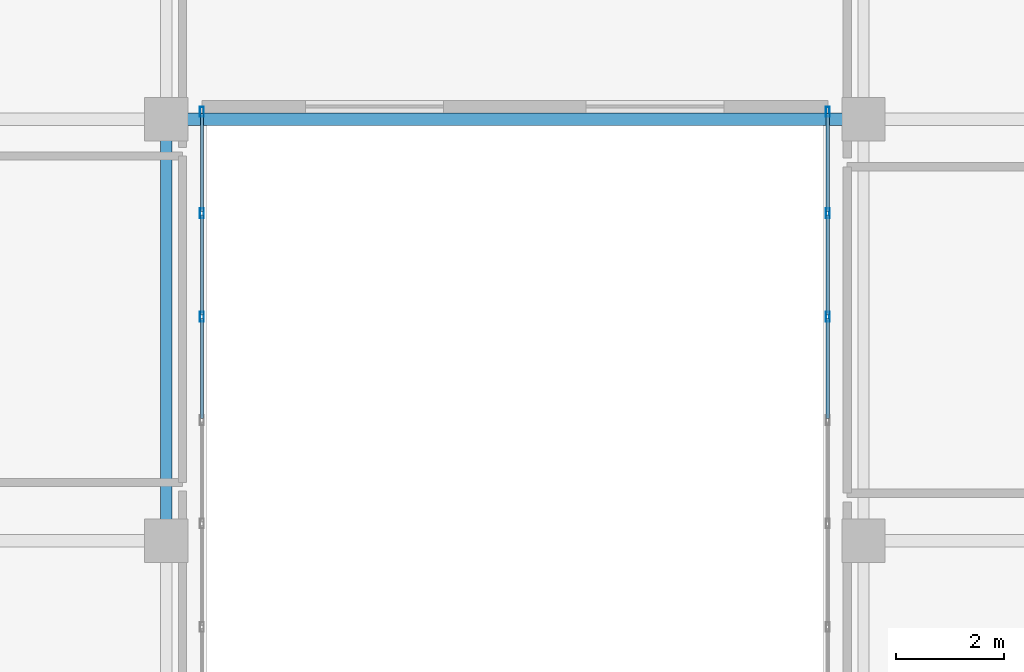
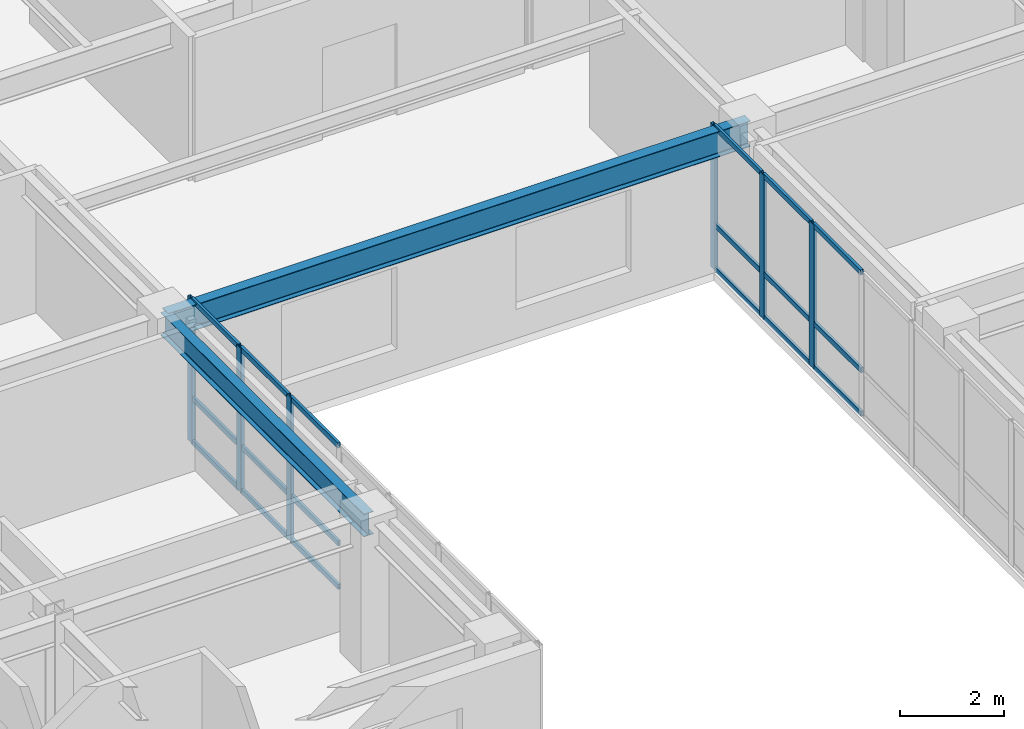
# One storey, part 8 of 24: 24 members, 2 beams, 2 elements without a shape of their own.
"""IFC4 building model written with IfcOpenShell, lengths in metres."""

from ifc_helpers import new_model, si_unit, direction, frame, origin, origin_2d, place, context, subcontext, project, spatial, hollow_rectangle, i_section, extrude, source, transform, mapped, material, layer, layer_set, material_profile, profile_set, type_object, type_shapes, element, aggregate, save


model = new_model("IFC4")

# Units and contexts
model_context = context("Model", 3, precision=1e-05, world=origin(), true_north=direction((0.0, 1.0)))
body_context = subcontext(model_context, "Body", "Model", "MODEL_VIEW")
ifc_project = project(units=[si_unit("LENGTHUNIT", "METRE"), si_unit("AREAUNIT", "SQUARE_METRE"), si_unit("VOLUMEUNIT", "CUBIC_METRE"), si_unit("PLANEANGLEUNIT", "RADIAN"), si_unit("MASSUNIT", "GRAM", prefix="KILO")], contexts=[model_context])

# Site, building, storey
site_placement = place(None, origin())
site = spatial("IfcSite", under=ifc_project, at=site_placement, CompositionType="ELEMENT")
building_placement = place(site_placement, origin())
building = spatial("IfcBuilding", under=site, at=building_placement, Name="Tolvann Quenvar Hotel", CompositionType="ELEMENT")
storey_placement = place(building_placement, frame((0.0, 0.0, 194.64990234375)))
storey = spatial("IfcBuildingStorey", under=building, at=storey_placement, Name="L51", CompositionType="ELEMENT", Elevation=194.64990234375)

# Beams
ifc_material_1 = material(Name="Steel Grade 350", Category="steel")
ifc_material_profile_1 = material_profile(ifc_material_1, i_section(OverallWidth=0.208984375, OverallDepth=0.532958984375, WebThickness=0.01025390625, FlangeThickness=0.015625, FilletRadius=0.013916015625, at=origin_2d()), Name="530UB92")
ifc_profile_set_1 = profile_set([ifc_material_profile_1], Name="Steel Grade 350")
beam_type_1 = type_object("IfcBeamType", Name="BM_GIRD_530UB92", PredefinedType="BEAM", material=ifc_profile_set_1)
shared_shape_1 = source(origin(), body_context, "Body", "SweptSolid", [
    extrude(i_section(OverallWidth=0.208984375, OverallDepth=0.532958984375, WebThickness=0.01025390625, FlangeThickness=0.015625, FilletRadius=0.013916015625, at=origin_2d()), origin(), (0.0, 0.0, 1.0), 7.800048828125),
])
type_shapes(beam_type_1, [shared_shape_1])
beam_1_placement = place(storey_placement, frame((22.050048828125, 8.199951171875, 3.103515625), z_axis=(0.0, 1.0, 0.0), x_axis=(-1.0, 0.0, 0.0)))
element("IfcBeam", 1, at=beam_1_placement, inside=storey, type_object=beam_type_1, Name="BM-L51-NS-E3-E4", PredefinedType="BEAM", context=body_context, shape_type="MappedRepresentation", body=[
    mapped(shared_shape_1, transform((0.0, 0.0, 0.0), x_axis=(1.0, 0.0, 0.0), y_axis=(0.0, 1.0, 0.0), z_axis=(0.0, 0.0, 1.0), scale=1.0)),
])
ifc_material_profile_2 = material_profile(ifc_material_1, i_section(OverallWidth=0.22802734375, OverallDepth=0.60205078125, WebThickness=0.010498046875, FlangeThickness=0.014892578125, FilletRadius=0.013916015625, at=origin_2d()), Name="610UB101")
ifc_profile_set_2 = profile_set([ifc_material_profile_2], Name="Steel Grade 350")
beam_type_2 = type_object("IfcBeamType", Name="BM_GIRD_610UB101", PredefinedType="BEAM", material=ifc_profile_set_2)
shared_shape_2 = source(origin(), body_context, "Body", "SweptSolid", [
    extrude(i_section(OverallWidth=0.22802734375, OverallDepth=0.60205078125, WebThickness=0.010498046875, FlangeThickness=0.014892578125, FilletRadius=0.013916015625, at=origin_2d()), origin(), (0.0, 0.0, 1.0), 12.89990234375),
])
type_shapes(beam_type_2, [shared_shape_2])
beam_2_placement = place(storey_placement, frame((22.050048828125, 16.0, 3.069091796875), z_axis=(1.0, 0.0, 0.0), x_axis=(0.0, 1.0, 0.0)))
element("IfcBeam", 2, at=beam_2_placement, inside=storey, type_object=beam_type_2, Name="BM-L51-EW-4-E4-F4", PredefinedType="BEAM", context=body_context, shape_type="MappedRepresentation", body=[
    mapped(shared_shape_2, transform((0.0, 0.0, 0.0), x_axis=(1.0, 0.0, 0.0), y_axis=(0.0, 1.0, 0.0), z_axis=(0.0, 0.0, 1.0), scale=1.0)),
])

# Curtain wall, members
ifc_material_2 = material(Name="Thermally broken anodised architectural aluminium 6063-T6 and laminated low-E glass", Category="aluminium")
ifc_layer = layer(ifc_material_2, 0.179931640625)
ifc_layer_set = layer_set([ifc_layer], Name="Thermally broken anodised architectural aluminium 6063-T6 and laminated low-E glass")
curtain_wall_type = type_object("IfcCurtainWallType", Name="CW_SYS_SLOT_03", PredefinedType="USERDEFINED", material=ifc_layer_set)
curtain_wall_1_placement = place(storey_placement, origin())
curtain_wall_1 = element("IfcCurtainWall", 3, at=curtain_wall_1_placement, inside=storey, type_object=curtain_wall_type, Name="Curtain Wall CW-SLOT-03 (CWR-L51-E05)", ObjectType="UNITISED CURTAIN WALL", PredefinedType="USERDEFINED")
ifc_material_3 = material(Name="Anodised architectural aluminium 6063-T6 framing", Category="aluminium")
ifc_material_profile_3 = material_profile(ifc_material_3, hollow_rectangle(XDim=0.070068359375, YDim=0.179931640625, WallThickness=0.00390625, at=origin_2d()), Name="180x70x4RHS")
ifc_profile_set_3 = profile_set([ifc_material_profile_3], Name="Anodised architectural aluminium 6063-T6 framing")
member_type_1 = type_object("IfcMemberType", Name="CW_MULL_180x70", PredefinedType="MULLION", material=ifc_profile_set_3)
shared_shape_3 = source(origin(), body_context, "Body", "SweptSolid", [
    extrude(hollow_rectangle(XDim=0.070068359375, YDim=0.179931640625, WallThickness=0.00390625, at=origin_2d()), origin(), (0.0, 0.0, 1.0), 3.3701171875),
])
type_shapes(member_type_1, [shared_shape_3])
member_1_placement = place(storey_placement, frame((22.7099609375, 12.346435546875, 0.0), z_axis=(0.0, 0.0, 1.0), x_axis=(-1.0, 0.0, 0.0)))
member_1 = element("IfcMember", 4, at=member_1_placement, type_object=member_type_1, Name="CW-SLOT-03 mullion 6", PredefinedType="MULLION", context=body_context, shape_type="MappedRepresentation", body=[
    mapped(shared_shape_3, transform((0.0, 0.0, 0.0), x_axis=(1.0, 0.0, 0.0), y_axis=(0.0, 1.0, 0.0), z_axis=(0.0, 0.0, 1.0), scale=1.0)),
])
member_2_placement = place(storey_placement, frame((22.7099609375, 14.2607421875, 0.0), z_axis=(0.0, 0.0, 1.0), x_axis=(-1.0, 0.0, 0.0)))
member_2 = element("IfcMember", 5, at=member_2_placement, type_object=member_type_1, Name="CW-SLOT-03 mullion 7", PredefinedType="MULLION", context=body_context, shape_type="MappedRepresentation", body=[
    mapped(shared_shape_3, transform((0.0, 0.0, 0.0), x_axis=(1.0, 0.0, 0.0), y_axis=(0.0, 1.0, 0.0), z_axis=(0.0, 0.0, 1.0), scale=1.0)),
])
member_3_placement = place(storey_placement, frame((22.7099609375, 16.139892578125, 0.0), z_axis=(0.0, 0.0, 1.0), x_axis=(-1.0, 0.0, 0.0)))
member_3 = element("IfcMember", 6, at=member_3_placement, type_object=member_type_1, Name="CW-SLOT-03 mullion 8", PredefinedType="MULLION", context=body_context, shape_type="MappedRepresentation", body=[
    mapped(shared_shape_3, transform((0.0, 0.0, 0.0), x_axis=(1.0, 0.0, 0.0), y_axis=(0.0, 1.0, 0.0), z_axis=(0.0, 0.0, 1.0), scale=1.0)),
])

curtain_wall_2_placement = place(storey_placement, origin())
curtain_wall_2 = element("IfcCurtainWall", 7, at=curtain_wall_2_placement, inside=storey, type_object=curtain_wall_type, Name="Curtain Wall CW-SLOT-03 (CWR-L51-E07)", ObjectType="UNITISED CURTAIN WALL", PredefinedType="USERDEFINED")
member_4_placement = place(storey_placement, frame((34.2900390625, 16.139892578125, 0.0), z_axis=(0.0, 0.0, 1.0), x_axis=(1.0, 0.0, 0.0)))
member_4 = element("IfcMember", 8, at=member_4_placement, type_object=member_type_1, Name="CW-SLOT-03 mullion 1", PredefinedType="MULLION", context=body_context, shape_type="MappedRepresentation", body=[
    mapped(shared_shape_3, transform((0.0, 0.0, 0.0), x_axis=(1.0, 0.0, 0.0), y_axis=(0.0, 1.0, 0.0), z_axis=(0.0, 0.0, 1.0), scale=1.0)),
])
member_5_placement = place(storey_placement, frame((34.2900390625, 14.2607421875, 0.0), z_axis=(0.0, 0.0, 1.0), x_axis=(1.0, 0.0, 0.0)))
member_5 = element("IfcMember", 9, at=member_5_placement, type_object=member_type_1, Name="CW-SLOT-03 mullion 2", PredefinedType="MULLION", context=body_context, shape_type="MappedRepresentation", body=[
    mapped(shared_shape_3, transform((0.0, 0.0, 0.0), x_axis=(1.0, 0.0, 0.0), y_axis=(0.0, 1.0, 0.0), z_axis=(0.0, 0.0, 1.0), scale=1.0)),
])
member_6_placement = place(storey_placement, frame((34.2900390625, 12.346435546875, 0.0), z_axis=(0.0, 0.0, 1.0), x_axis=(1.0, 0.0, 0.0)))
member_6 = element("IfcMember", 10, at=member_6_placement, type_object=member_type_1, Name="CW-SLOT-03 mullion 3", PredefinedType="MULLION", context=body_context, shape_type="MappedRepresentation", body=[
    mapped(shared_shape_3, transform((0.0, 0.0, 0.0), x_axis=(1.0, 0.0, 0.0), y_axis=(0.0, 1.0, 0.0), z_axis=(0.0, 0.0, 1.0), scale=1.0)),
])

# Member
ifc_material_profile_4 = material_profile(ifc_material_3, hollow_rectangle(XDim=0.06005859375, YDim=0.1201171875, WallThickness=0.00341796875, at=origin_2d()), Name="120x60x3.5RHS")
ifc_profile_set_4 = profile_set([ifc_material_profile_4], Name="Anodised architectural aluminium 6063-T6 framing")
member_type_2 = type_object("IfcMemberType", Name="CW_TRAN_120x60", PredefinedType="USERDEFINED", material=ifc_profile_set_4)
shared_shape_4 = source(origin(), body_context, "Body", "SweptSolid", [
    extrude(hollow_rectangle(XDim=0.06005859375, YDim=0.1201171875, WallThickness=0.00341796875, at=origin_2d()), origin(), (0.0, 0.0, 1.0), 1.809326171875),
])
member_7_placement = place(storey_placement, frame((22.7099609375, 14.295654296875, 0.030029296875), z_axis=(0.0, 1.0, 0.0), x_axis=(-1.0, 0.0, 0.0)))
member_7 = element("IfcMember", 11, at=member_7_placement, type_object=member_type_2, Name="CW-SLOT-03 transom 7.1", ObjectType="TRANSOM", PredefinedType="USERDEFINED", context=body_context, shape_type="MappedRepresentation", body=[
    mapped(shared_shape_4, transform((0.0, 0.0, 0.0), x_axis=(1.0, 0.0, 0.0), y_axis=(0.0, 1.0, 0.0), z_axis=(0.0, 0.0, 1.0), scale=1.0)),
])

member_8_placement = place(storey_placement, frame((22.7099609375, 14.295654296875, 1.050048828125), z_axis=(0.0, 1.0, 0.0), x_axis=(-1.0, 0.0, 0.0)))
member_8 = element("IfcMember", 12, at=member_8_placement, type_object=member_type_2, Name="CW-SLOT-03 transom 7.2", ObjectType="TRANSOM", PredefinedType="USERDEFINED", context=body_context, shape_type="MappedRepresentation", body=[
    mapped(shared_shape_4, transform((0.0, 0.0, 0.0), x_axis=(1.0, 0.0, 0.0), y_axis=(0.0, 1.0, 0.0), z_axis=(0.0, 0.0, 1.0), scale=1.0)),
])

member_9_placement = place(storey_placement, frame((22.7099609375, 14.295654296875, 3.340087890625), z_axis=(0.0, 1.0, 0.0), x_axis=(-1.0, 0.0, 0.0)))
member_9 = element("IfcMember", 13, at=member_9_placement, type_object=member_type_2, Name="CW-SLOT-03 transom 7.3", ObjectType="TRANSOM", PredefinedType="USERDEFINED", context=body_context, shape_type="MappedRepresentation", body=[
    mapped(shared_shape_4, transform((0.0, 0.0, 0.0), x_axis=(1.0, 0.0, 0.0), y_axis=(0.0, 1.0, 0.0), z_axis=(0.0, 0.0, 1.0), scale=1.0)),
])

member_10_placement = place(storey_placement, frame((34.2900390625, 16.10498046875, 0.030029296875), z_axis=(0.0, -1.0, 0.0), x_axis=(1.0, 0.0, 0.0)))
member_10 = element("IfcMember", 14, at=member_10_placement, type_object=member_type_2, Name="CW-SLOT-03 transom 1.1", ObjectType="TRANSOM", PredefinedType="USERDEFINED", context=body_context, shape_type="MappedRepresentation", body=[
    mapped(shared_shape_4, transform((0.0, 0.0, 0.0), x_axis=(1.0, 0.0, 0.0), y_axis=(0.0, 1.0, 0.0), z_axis=(0.0, 0.0, 1.0), scale=1.0)),
])

member_11_placement = place(storey_placement, frame((34.2900390625, 16.10498046875, 1.050048828125), z_axis=(0.0, -1.0, 0.0), x_axis=(1.0, 0.0, 0.0)))
member_11 = element("IfcMember", 15, at=member_11_placement, type_object=member_type_2, Name="CW-SLOT-03 transom 1.2", ObjectType="TRANSOM", PredefinedType="USERDEFINED", context=body_context, shape_type="MappedRepresentation", body=[
    mapped(shared_shape_4, transform((0.0, 0.0, 0.0), x_axis=(1.0, 0.0, 0.0), y_axis=(0.0, 1.0, 0.0), z_axis=(0.0, 0.0, 1.0), scale=1.0)),
])

member_12_placement = place(storey_placement, frame((34.2900390625, 16.10498046875, 3.340087890625), z_axis=(0.0, -1.0, 0.0), x_axis=(1.0, 0.0, 0.0)))
member_12 = element("IfcMember", 16, at=member_12_placement, type_object=member_type_2, Name="CW-SLOT-03 transom 1.3", ObjectType="TRANSOM", PredefinedType="USERDEFINED", context=body_context, shape_type="MappedRepresentation", body=[
    mapped(shared_shape_4, transform((0.0, 0.0, 0.0), x_axis=(1.0, 0.0, 0.0), y_axis=(0.0, 1.0, 0.0), z_axis=(0.0, 0.0, 1.0), scale=1.0)),
])

shared_shape_5 = source(origin(), body_context, "Body", "SweptSolid", [
    extrude(hollow_rectangle(XDim=0.06005859375, YDim=0.1201171875, WallThickness=0.00341796875, at=origin_2d()), origin(), (0.0, 0.0, 1.0), 1.844482421875),
])
type_shapes(member_type_2, [shared_shape_4, shared_shape_5])
member_13_placement = place(storey_placement, frame((22.7099609375, 10.467041015625, 0.030029296875), z_axis=(0.0, 1.0, 0.0), x_axis=(-1.0, 0.0, 0.0)))
member_13 = element("IfcMember", 17, at=member_13_placement, type_object=member_type_2, Name="CW-SLOT-03 transom 5.1", ObjectType="TRANSOM", PredefinedType="USERDEFINED", context=body_context, shape_type="MappedRepresentation", body=[
    mapped(shared_shape_5, transform((0.0, 0.0, 0.0), x_axis=(1.0, 0.0, 0.0), y_axis=(0.0, 1.0, 0.0), z_axis=(0.0, 0.0, 1.0), scale=1.0)),
])

member_14_placement = place(storey_placement, frame((22.7099609375, 10.467041015625, 1.050048828125), z_axis=(0.0, 1.0, 0.0), x_axis=(-1.0, 0.0, 0.0)))
member_14 = element("IfcMember", 18, at=member_14_placement, type_object=member_type_2, Name="CW-SLOT-03 transom 5.2", ObjectType="TRANSOM", PredefinedType="USERDEFINED", context=body_context, shape_type="MappedRepresentation", body=[
    mapped(shared_shape_5, transform((0.0, 0.0, 0.0), x_axis=(1.0, 0.0, 0.0), y_axis=(0.0, 1.0, 0.0), z_axis=(0.0, 0.0, 1.0), scale=1.0)),
])

member_15_placement = place(storey_placement, frame((22.7099609375, 10.467041015625, 3.340087890625), z_axis=(0.0, 1.0, 0.0), x_axis=(-1.0, 0.0, 0.0)))
member_15 = element("IfcMember", 19, at=member_15_placement, type_object=member_type_2, Name="CW-SLOT-03 transom 5.3", ObjectType="TRANSOM", PredefinedType="USERDEFINED", context=body_context, shape_type="MappedRepresentation", body=[
    mapped(shared_shape_5, transform((0.0, 0.0, 0.0), x_axis=(1.0, 0.0, 0.0), y_axis=(0.0, 1.0, 0.0), z_axis=(0.0, 0.0, 1.0), scale=1.0)),
])

member_16_placement = place(storey_placement, frame((22.7099609375, 12.38134765625, 0.030029296875), z_axis=(0.0, 1.0, 0.0), x_axis=(-1.0, 0.0, 0.0)))
member_16 = element("IfcMember", 20, at=member_16_placement, type_object=member_type_2, Name="CW-SLOT-03 transom 6.1", ObjectType="TRANSOM", PredefinedType="USERDEFINED", context=body_context, shape_type="MappedRepresentation", body=[
    mapped(shared_shape_5, transform((0.0, 0.0, 0.0), x_axis=(1.0, 0.0, 0.0), y_axis=(0.0, 1.0, 0.0), z_axis=(0.0, 0.0, 1.0), scale=1.0)),
])

member_17_placement = place(storey_placement, frame((22.7099609375, 12.38134765625, 1.050048828125), z_axis=(0.0, 1.0, 0.0), x_axis=(-1.0, 0.0, 0.0)))
member_17 = element("IfcMember", 21, at=member_17_placement, type_object=member_type_2, Name="CW-SLOT-03 transom 6.2", ObjectType="TRANSOM", PredefinedType="USERDEFINED", context=body_context, shape_type="MappedRepresentation", body=[
    mapped(shared_shape_5, transform((0.0, 0.0, 0.0), x_axis=(1.0, 0.0, 0.0), y_axis=(0.0, 1.0, 0.0), z_axis=(0.0, 0.0, 1.0), scale=1.0)),
])

member_18_placement = place(storey_placement, frame((22.7099609375, 12.38134765625, 3.340087890625), z_axis=(0.0, 1.0, 0.0), x_axis=(-1.0, 0.0, 0.0)))
member_18 = element("IfcMember", 22, at=member_18_placement, type_object=member_type_2, Name="CW-SLOT-03 transom 6.3", ObjectType="TRANSOM", PredefinedType="USERDEFINED", context=body_context, shape_type="MappedRepresentation", body=[
    mapped(shared_shape_5, transform((0.0, 0.0, 0.0), x_axis=(1.0, 0.0, 0.0), y_axis=(0.0, 1.0, 0.0), z_axis=(0.0, 0.0, 1.0), scale=1.0)),
])

aggregate(curtain_wall_1, [member_1, member_2, member_3, member_13, member_14, member_15, member_16, member_17, member_18, member_7, member_8, member_9])

member_19_placement = place(storey_placement, frame((34.2900390625, 14.225830078125, 0.030029296875), z_axis=(0.0, -1.0, 0.0), x_axis=(1.0, 0.0, 0.0)))
member_19 = element("IfcMember", 23, at=member_19_placement, type_object=member_type_2, Name="CW-SLOT-03 transom 2.1", ObjectType="TRANSOM", PredefinedType="USERDEFINED", context=body_context, shape_type="MappedRepresentation", body=[
    mapped(shared_shape_5, transform((0.0, 0.0, 0.0), x_axis=(1.0, 0.0, 0.0), y_axis=(0.0, 1.0, 0.0), z_axis=(0.0, 0.0, 1.0), scale=1.0)),
])

member_20_placement = place(storey_placement, frame((34.2900390625, 14.225830078125, 1.050048828125), z_axis=(0.0, -1.0, 0.0), x_axis=(1.0, 0.0, 0.0)))
member_20 = element("IfcMember", 24, at=member_20_placement, type_object=member_type_2, Name="CW-SLOT-03 transom 2.2", ObjectType="TRANSOM", PredefinedType="USERDEFINED", context=body_context, shape_type="MappedRepresentation", body=[
    mapped(shared_shape_5, transform((0.0, 0.0, 0.0), x_axis=(1.0, 0.0, 0.0), y_axis=(0.0, 1.0, 0.0), z_axis=(0.0, 0.0, 1.0), scale=1.0)),
])

member_21_placement = place(storey_placement, frame((34.2900390625, 14.225830078125, 3.340087890625), z_axis=(0.0, -1.0, 0.0), x_axis=(1.0, 0.0, 0.0)))
member_21 = element("IfcMember", 25, at=member_21_placement, type_object=member_type_2, Name="CW-SLOT-03 transom 2.3", ObjectType="TRANSOM", PredefinedType="USERDEFINED", context=body_context, shape_type="MappedRepresentation", body=[
    mapped(shared_shape_5, transform((0.0, 0.0, 0.0), x_axis=(1.0, 0.0, 0.0), y_axis=(0.0, 1.0, 0.0), z_axis=(0.0, 0.0, 1.0), scale=1.0)),
])

member_22_placement = place(storey_placement, frame((34.2900390625, 12.3115234375, 0.030029296875), z_axis=(0.0, -1.0, 0.0), x_axis=(1.0, 0.0, 0.0)))
member_22 = element("IfcMember", 26, at=member_22_placement, type_object=member_type_2, Name="CW-SLOT-03 transom 3.1", ObjectType="TRANSOM", PredefinedType="USERDEFINED", context=body_context, shape_type="MappedRepresentation", body=[
    mapped(shared_shape_5, transform((0.0, 0.0, 0.0), x_axis=(1.0, 0.0, 0.0), y_axis=(0.0, 1.0, 0.0), z_axis=(0.0, 0.0, 1.0), scale=1.0)),
])

member_23_placement = place(storey_placement, frame((34.2900390625, 12.3115234375, 1.050048828125), z_axis=(0.0, -1.0, 0.0), x_axis=(1.0, 0.0, 0.0)))
member_23 = element("IfcMember", 27, at=member_23_placement, type_object=member_type_2, Name="CW-SLOT-03 transom 3.2", ObjectType="TRANSOM", PredefinedType="USERDEFINED", context=body_context, shape_type="MappedRepresentation", body=[
    mapped(shared_shape_5, transform((0.0, 0.0, 0.0), x_axis=(1.0, 0.0, 0.0), y_axis=(0.0, 1.0, 0.0), z_axis=(0.0, 0.0, 1.0), scale=1.0)),
])

member_24_placement = place(storey_placement, frame((34.2900390625, 12.3115234375, 3.340087890625), z_axis=(0.0, -1.0, 0.0), x_axis=(1.0, 0.0, 0.0)))
member_24 = element("IfcMember", 28, at=member_24_placement, type_object=member_type_2, Name="CW-SLOT-03 transom 3.3", ObjectType="TRANSOM", PredefinedType="USERDEFINED", context=body_context, shape_type="MappedRepresentation", body=[
    mapped(shared_shape_5, transform((0.0, 0.0, 0.0), x_axis=(1.0, 0.0, 0.0), y_axis=(0.0, 1.0, 0.0), z_axis=(0.0, 0.0, 1.0), scale=1.0)),
])

aggregate(curtain_wall_2, [member_4, member_5, member_6, member_10, member_11, member_12, member_19, member_20, member_21, member_22, member_23, member_24])

save(model, "model.ifc")
